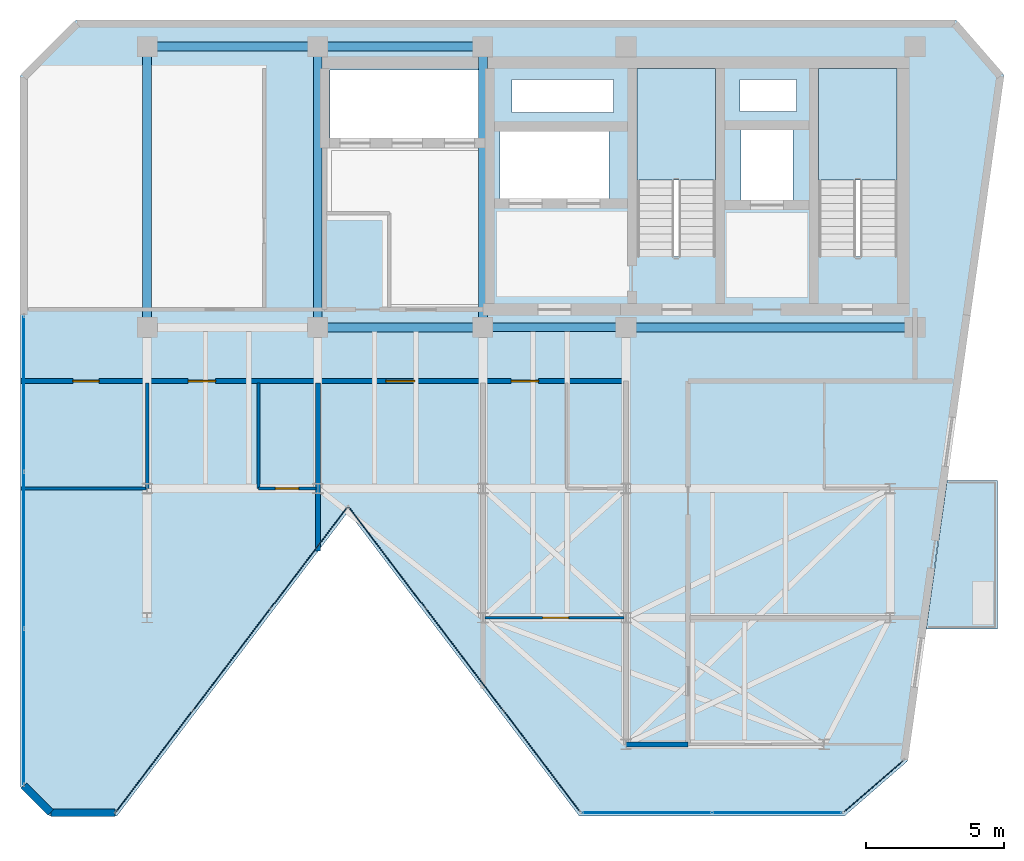
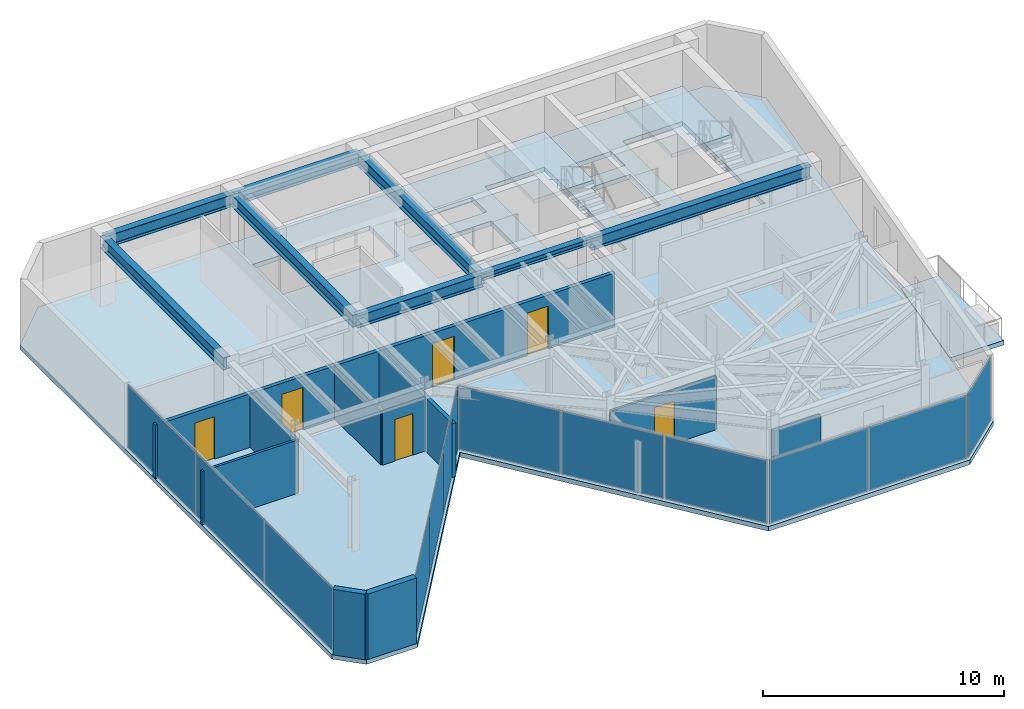
# One storey, part 12 of 16: 12 plates, 10 walls, 8 beams, 6 doors, 4 slabs, 6 openings, 7 elements without a shape of their own.
"""IFC4 building model written with IfcOpenShell, lengths in metres."""

from ifc_helpers import new_model, si_unit, direction, frame, frame_2d, origin, origin_2d, place, context, subcontext, project, spatial, polyline, rectangle, i_section, outline, extrude, material, layer, layer_set, material_profile, profile_set, type_object, element, fill, aggregate, save


model = new_model("IFC4")

# Units and contexts
model_context = context("Model", 3, precision=1e-05, world=origin(), true_north=direction((0.0, 1.0)))
body_context = subcontext(model_context, "Body", "Model", "MODEL_VIEW")
ifc_project = project(units=[si_unit("LENGTHUNIT", "METRE"), si_unit("AREAUNIT", "SQUARE_METRE"), si_unit("VOLUMEUNIT", "CUBIC_METRE"), si_unit("PLANEANGLEUNIT", "RADIAN"), si_unit("MASSUNIT", "GRAM", prefix="KILO")], contexts=[model_context])

# Site, building, storey
site_placement = place(None, origin())
site = spatial("IfcSite", under=ifc_project, at=site_placement, CompositionType="ELEMENT")
building_placement = place(site_placement, origin())
building = spatial("IfcBuilding", under=site, at=building_placement, Name="Kravanh Interchange Tower", CompositionType="ELEMENT")
storey_placement = place(building_placement, frame((0.0, 0.0, 307.5)))
storey = spatial("IfcBuildingStorey", under=building, at=storey_placement, Name="L76", CompositionType="ELEMENT", Elevation=307.5)

# Beams
ifc_material_1 = material(Name="Structural Steel S355", Category="steel")
ifc_material_profile_1 = material_profile(ifc_material_1, i_section(OverallWidth=0.323974609375, OverallDepth=0.611083984375, WebThickness=0.0126953125, FlangeThickness=0.01904296875, FilletRadius=0.02197265625, at=origin_2d()), Name="W24X104")
ifc_profile_set_1 = profile_set([ifc_material_profile_1], Name="Structural Steel S355")
beam_type_1 = type_object("IfcBeamType", Name="Floor Beam W24X104 Structural Steel S355", PredefinedType="BEAM", material=ifc_profile_set_1)
beam_1_placement = place(storey_placement, frame((66.5, 37.35009765625, 3.014404296875), z_axis=(-1.0, 0.0, 0.0), x_axis=(0.0, -1.0, 0.0)))
element("IfcBeam", 1, at=beam_1_placement, inside=storey, type_object=beam_type_1, Name="L76 Primary Floor Girder 32", PredefinedType="BEAM", context=body_context, shape_type="SweptSolid", body=[
    extrude(i_section(OverallWidth=0.323974609375, OverallDepth=0.611083984375, WebThickness=0.0126953125, FlangeThickness=0.01904296875, FilletRadius=0.02197265625, at=origin_2d()), origin(), (0.0, 0.0, 1.0), 10.5),
])
beam_2_placement = place(storey_placement, frame((50.800048828125, 47.550048828125, 3.014404296875), z_axis=(-1.0, 0.0, 0.0), x_axis=(0.0, -1.0, 0.0)))
element("IfcBeam", 2, at=beam_2_placement, inside=storey, type_object=beam_type_1, Name="L76 Primary Floor Girder 34", PredefinedType="BEAM", context=body_context, shape_type="SweptSolid", body=[
    extrude(i_section(OverallWidth=0.323974609375, OverallDepth=0.611083984375, WebThickness=0.0126953125, FlangeThickness=0.01904296875, FilletRadius=0.02197265625, at=origin_2d()), origin(), (0.0, 0.0, 1.0), 6.0),
])
beam_3_placement = place(storey_placement, frame((50.800048828125, 47.550048828125, 3.014404296875), z_axis=(0.0, -1.0, 0.0), x_axis=(1.0, 0.0, 0.0)))
element("IfcBeam", 3, at=beam_3_placement, inside=storey, type_object=beam_type_1, Name="L76 Primary Floor Girder 35", PredefinedType="BEAM", context=body_context, shape_type="SweptSolid", body=[
    extrude(i_section(OverallWidth=0.323974609375, OverallDepth=0.611083984375, WebThickness=0.0126953125, FlangeThickness=0.01904296875, FilletRadius=0.02197265625, at=origin_2d()), origin(), (0.0, 0.0, 1.0), 10.199951171875),
])
beam_4_placement = place(storey_placement, frame((50.800048828125, 37.35009765625, 3.014404296875), z_axis=(-1.0, 0.0, 0.0), x_axis=(0.0, -1.0, 0.0)))
element("IfcBeam", 4, at=beam_4_placement, inside=storey, type_object=beam_type_1, Name="L76 Primary Floor Girder 36", PredefinedType="BEAM", context=body_context, shape_type="SweptSolid", body=[
    extrude(i_section(OverallWidth=0.323974609375, OverallDepth=0.611083984375, WebThickness=0.0126953125, FlangeThickness=0.01904296875, FilletRadius=0.02197265625, at=origin_2d()), origin(), (0.0, 0.0, 1.0), 6.0),
])
beam_5_placement = place(storey_placement, frame((44.800048828125, 37.35009765625, 3.014404296875), z_axis=(0.0, 1.0, 0.0), x_axis=(-1.0, 0.0, 0.0)))
element("IfcBeam", 5, at=beam_5_placement, inside=storey, type_object=beam_type_1, Name="L76 Primary Floor Girder 38", PredefinedType="BEAM", context=body_context, shape_type="SweptSolid", body=[
    extrude(i_section(OverallWidth=0.323974609375, OverallDepth=0.611083984375, WebThickness=0.0126953125, FlangeThickness=0.01904296875, FilletRadius=0.02197265625, at=origin_2d()), origin(), (0.0, 0.0, 1.0), 10.199951171875),
])
beam_6_placement = place(storey_placement, frame((44.800048828125, 47.550048828125, 3.014404296875), z_axis=(-1.0, 0.0, 0.0), x_axis=(0.0, -1.0, 0.0)))
element("IfcBeam", 6, at=beam_6_placement, inside=storey, type_object=beam_type_1, Name="L76 Primary Floor Girder 39", PredefinedType="BEAM", context=body_context, shape_type="SweptSolid", body=[
    extrude(i_section(OverallWidth=0.323974609375, OverallDepth=0.611083984375, WebThickness=0.0126953125, FlangeThickness=0.01904296875, FilletRadius=0.02197265625, at=origin_2d()), origin(), (0.0, 0.0, 1.0), 6.199951171875),
])
beam_7_placement = place(storey_placement, frame((38.60009765625, 37.35009765625, 3.014404296875), z_axis=(0.0, 1.0, 0.0), x_axis=(-1.0, 0.0, 0.0)))
element("IfcBeam", 7, at=beam_7_placement, inside=storey, type_object=beam_type_1, Name="L76 Primary Floor Girder 40", PredefinedType="BEAM", context=body_context, shape_type="SweptSolid", body=[
    extrude(i_section(OverallWidth=0.323974609375, OverallDepth=0.611083984375, WebThickness=0.0126953125, FlangeThickness=0.01904296875, FilletRadius=0.02197265625, at=origin_2d()), origin(), (0.0, 0.0, 1.0), 10.199951171875),
])
ifc_material_2 = material(Name="Structural Steel S355", Category="steel")
ifc_material_profile_2 = material_profile(ifc_material_2, i_section(OverallWidth=0.304931640625, OverallDepth=0.306884765625, WebThickness=0.010009765625, FlangeThickness=0.015380859375, FilletRadius=0.014892578125, at=origin_2d()), Name="W12X65")
ifc_profile_set_2 = profile_set([ifc_material_profile_2], Name="Structural Steel S355")
beam_type_2 = type_object("IfcBeamType", Name="Floor Lintel W12X65 Structural Steel S355", PredefinedType="LINTEL", material=ifc_profile_set_2)
beam_8_placement = place(storey_placement, frame((50.800048828125, 37.35009765625, 3.16650390625), z_axis=(1.0, 0.0, 0.0), x_axis=(0.0, 1.0, 0.0)))
element("IfcBeam", 8, at=beam_8_placement, inside=storey, type_object=beam_type_2, Name="L76 Core Coupling Lintel 1", PredefinedType="LINTEL", context=body_context, shape_type="SweptSolid", body=[
    extrude(i_section(OverallWidth=0.304931640625, OverallDepth=0.306884765625, WebThickness=0.010009765625, FlangeThickness=0.015380859375, FilletRadius=0.014892578125, at=origin_2d()), origin(), (0.0, 0.0, 1.0), 5.199951171875),
])

# Curtain wall, plates
ifc_material_3 = material(Name="Anodised Bronze Aluminium", Category="aluminium")
ifc_layer_1 = layer(ifc_material_3, 0.179931640625)
ifc_layer_set_1 = layer_set([ifc_layer_1], Name="Unitised Curtain Wall System CW-HTL Luxury Hotel")
curtain_wall_type = type_object("IfcCurtainWallType", Name="Unitised Curtain Wall System CW-HTL Luxury Hotel", PredefinedType="NOTDEFINED", material=ifc_layer_set_1)
curtain_wall_1_placement = place(storey_placement, origin())
curtain_wall_1 = element("IfcCurtainWall", 9, at=curtain_wall_1_placement, inside=storey, type_object=curtain_wall_type, Name="L76 Unitised Curtain Wall CW-L76-01", PredefinedType="NOTDEFINED")
ifc_material_4 = material(Name="Low-E Laminated Architectural Glass", Category="glass")
ifc_layer_2 = layer(ifc_material_4, 0.030029296875)
ifc_layer_set_2 = layer_set([ifc_layer_2], Name="Acoustic Laminated Glazing 30mm")
plate_type = type_object("IfcPlateType", Name="Acoustic Laminated Glazing 30mm", PredefinedType="CURTAIN_PANEL", material=ifc_layer_set_2)
plate_1_placement = place(storey_placement, frame((34.1201171875, 23.564697265625, 0.06005859375), z_axis=(0.0, 0.0, 1.0), x_axis=(0.0, 1.0, 0.0)))
plate_1 = element("IfcPlate", 10, at=plate_1_placement, type_object=plate_type, Name="CW-HTL panel 1.1", PredefinedType="CURTAIN_PANEL", context=body_context, shape_type="SweptSolid", body=[
    extrude(rectangle(XDim=5.610107421875, YDim=0.030029296875, at=origin_2d()), origin(), (0.0, 0.0, 1.0), 3.199951171875),
])
plate_2_placement = place(storey_placement, frame((34.1201171875, 29.249755859375, 0.06005859375), z_axis=(0.0, 0.0, 1.0), x_axis=(0.0, 1.0, 0.0)))
plate_2 = element("IfcPlate", 11, at=plate_2_placement, type_object=plate_type, Name="CW-HTL panel 2.1", PredefinedType="CURTAIN_PANEL", context=body_context, shape_type="SweptSolid", body=[
    extrude(rectangle(XDim=5.64013671875, YDim=0.030029296875, at=origin_2d()), origin(), (0.0, 0.0, 1.0), 3.199951171875),
])
plate_3_placement = place(storey_placement, frame((34.1201171875, 34.93505859375, 0.06005859375), z_axis=(0.0, 0.0, 1.0), x_axis=(0.0, 1.0, 0.0)))
plate_3 = element("IfcPlate", 12, at=plate_3_placement, type_object=plate_type, Name="CW-HTL panel 3.1", PredefinedType="CURTAIN_PANEL", context=body_context, shape_type="SweptSolid", body=[
    extrude(rectangle(XDim=5.610107421875, YDim=0.030029296875, at=origin_2d()), origin(), (0.0, 0.0, 1.0), 3.199951171875),
])
aggregate(curtain_wall_1, [plate_1, plate_2, plate_3])

# Curtain wall, plate
curtain_wall_2_placement = place(storey_placement, origin())
curtain_wall_2 = element("IfcCurtainWall", 13, at=curtain_wall_2_placement, inside=storey, type_object=curtain_wall_type, Name="L76 Unitised Curtain Wall CW-L76-02", PredefinedType="NOTDEFINED")
plate_4_placement = place(storey_placement, frame((64.998779296875, 20.680908203125, 0.06005859375), z_axis=(0.0, 0.0, 1.0), x_axis=(-0.754717231494, -0.656050227106, 0.0)))
plate_4 = element("IfcPlate", 14, at=plate_4_placement, type_object=plate_type, Name="CW-HTL panel 1.1", PredefinedType="CURTAIN_PANEL", context=body_context, shape_type="SweptSolid", body=[
    extrude(rectangle(XDim=2.80908203125, YDim=0.030029296875, at=origin_2d()), origin(), (0.0, 0.0, 1.0), 3.199951171875),
])
aggregate(curtain_wall_2, [plate_4])

# Curtain wall, plates
curtain_wall_3_placement = place(storey_placement, origin())
curtain_wall_3 = element("IfcCurtainWall", 15, at=curtain_wall_3_placement, inside=storey, type_object=curtain_wall_type, Name="L76 Unitised Curtain Wall CW-L76-03", PredefinedType="NOTDEFINED")
plate_5_placement = place(storey_placement, frame((61.4951171875, 19.719970703125, 0.06005859375), z_axis=(0.0, 0.0, 1.0), x_axis=(-1.0, 0.0, 0.0)))
plate_5 = element("IfcPlate", 16, at=plate_5_placement, type_object=plate_type, Name="CW-HTL panel 1.1", PredefinedType="CURTAIN_PANEL", context=body_context, shape_type="SweptSolid", body=[
    extrude(rectangle(XDim=4.677001953125, YDim=0.030029296875, at=origin_2d()), origin(), (0.0, 0.0, 1.0), 3.199951171875),
])
plate_6_placement = place(storey_placement, frame((56.758056640625, 19.719970703125, 0.06005859375), z_axis=(0.0, 0.0, 1.0), x_axis=(-1.0, 0.0, 0.0)))
plate_6 = element("IfcPlate", 17, at=plate_6_placement, type_object=plate_type, Name="CW-HTL panel 2.1", PredefinedType="CURTAIN_PANEL", context=body_context, shape_type="SweptSolid", body=[
    extrude(rectangle(XDim=4.677001953125, YDim=0.030029296875, at=origin_2d()), origin(), (0.0, 0.0, 1.0), 3.199951171875),
])
aggregate(curtain_wall_3, [plate_5, plate_6])

curtain_wall_4_placement = place(storey_placement, origin())
curtain_wall_4 = element("IfcCurtainWall", 18, at=curtain_wall_4_placement, inside=storey, type_object=curtain_wall_type, Name="L76 Unitised Curtain Wall CW-L76-04", PredefinedType="NOTDEFINED")
plate_7_placement = place(storey_placement, frame((52.9404296875, 21.587158203125, 0.06005859375), z_axis=(0.0, 0.0, 1.0), x_axis=(-0.605083992962, 0.796161642797, 0.0)))
plate_7 = element("IfcPlate", 19, at=plate_7_placement, type_object=plate_type, Name="CW-HTL panel 1.1", PredefinedType="CURTAIN_PANEL", context=body_context, shape_type="SweptSolid", body=[
    extrude(rectangle(XDim=4.5703125, YDim=0.030029296875, at=origin_2d()), origin(), (0.0, 0.0, 1.0), 3.199951171875),
])
plate_8_placement = place(storey_placement, frame((50.129638671875, 25.285400390625, 0.06005859375), z_axis=(0.0, 0.0, 1.0), x_axis=(-0.605083992962, 0.796161642797, 0.0)))
plate_8 = element("IfcPlate", 20, at=plate_8_placement, type_object=plate_type, Name="CW-HTL panel 2.1", PredefinedType="CURTAIN_PANEL", context=body_context, shape_type="SweptSolid", body=[
    extrude(rectangle(XDim=4.600341796875, YDim=0.030029296875, at=origin_2d()), origin(), (0.0, 0.0, 1.0), 3.199951171875),
])
plate_9_placement = place(storey_placement, frame((47.319091796875, 28.98388671875, 0.06005859375), z_axis=(0.0, 0.0, 1.0), x_axis=(-0.605083992962, 0.796161642797, 0.0)))
plate_9 = element("IfcPlate", 21, at=plate_9_placement, type_object=plate_type, Name="CW-HTL panel 3.1", PredefinedType="CURTAIN_PANEL", context=body_context, shape_type="SweptSolid", body=[
    extrude(rectangle(XDim=4.5703125, YDim=0.030029296875, at=origin_2d()), origin(), (0.0, 0.0, 1.0), 3.199951171875),
])
aggregate(curtain_wall_4, [plate_7, plate_8, plate_9])

curtain_wall_5_placement = place(storey_placement, origin())
curtain_wall_5 = element("IfcCurtainWall", 22, at=curtain_wall_5_placement, inside=storey, type_object=curtain_wall_type, Name="L76 Unitised Curtain Wall CW-L76-05", PredefinedType="NOTDEFINED")
plate_10_placement = place(storey_placement, frame((44.48095703125, 28.98388671875, 0.06005859375), z_axis=(0.0, 0.0, 1.0), x_axis=(-0.605083992962, -0.796161642797, 0.0)))
plate_10 = element("IfcPlate", 23, at=plate_10_placement, type_object=plate_type, Name="CW-HTL panel 1.1", PredefinedType="CURTAIN_PANEL", context=body_context, shape_type="SweptSolid", body=[
    extrude(rectangle(XDim=4.5703125, YDim=0.030029296875, at=origin_2d()), origin(), (0.0, 0.0, 1.0), 3.199951171875),
])
plate_11_placement = place(storey_placement, frame((41.670166015625, 25.285400390625, 0.06005859375), z_axis=(0.0, 0.0, 1.0), x_axis=(-0.605083992962, -0.796161642797, 0.0)))
plate_11 = element("IfcPlate", 24, at=plate_11_placement, type_object=plate_type, Name="CW-HTL panel 2.1", PredefinedType="CURTAIN_PANEL", context=body_context, shape_type="SweptSolid", body=[
    extrude(rectangle(XDim=4.600341796875, YDim=0.030029296875, at=origin_2d()), origin(), (0.0, 0.0, 1.0), 3.199951171875),
])
plate_12_placement = place(storey_placement, frame((38.859375, 21.587158203125, 0.06005859375), z_axis=(0.0, 0.0, 1.0), x_axis=(-0.605083992962, -0.796161642797, 0.0)))
plate_12 = element("IfcPlate", 25, at=plate_12_placement, type_object=plate_type, Name="CW-HTL panel 3.1", PredefinedType="CURTAIN_PANEL", context=body_context, shape_type="SweptSolid", body=[
    extrude(rectangle(XDim=4.5703125, YDim=0.030029296875, at=origin_2d()), origin(), (0.0, 0.0, 1.0), 3.199951171875),
])
aggregate(curtain_wall_5, [plate_10, plate_11, plate_12])

# Slab
ifc_material_5 = material(Name="Concrete C50/60", Category="concrete")
ifc_layer_3 = layer(ifc_material_5, 0.235107421875)
ifc_layer_set_3 = layer_set([ifc_layer_3], Name="Composite Floor Slab Concrete C50/60 235mm")
slab_type_1 = type_object("IfcSlabType", Name="Composite Floor Slab Concrete C50/60 235mm", PredefinedType="FLOOR", material=ifc_layer_set_3)
slab_1_placement = place(storey_placement, frame((0.0, 0.0, -0.235107421875)))
element("IfcSlab", 26, at=slab_1_placement, inside=storey, type_object=slab_type_1, Name="L76 Structural Floor Slab", PredefinedType="FLOOR", context=body_context, shape_type="SweptSolid", body=[
    extrude(outline(polyline([(34.0, 20.64990234375), (35.050048828125, 19.60009765625), (37.5, 19.60009765625), (45.89990234375, 30.652587890625), (54.300048828125, 19.60009765625), (63.9384765625, 19.60009765625), (66.216796875, 21.58056640625), (69.7216796875, 46.51953125), (68.0, 48.5), (36.0, 48.5), (34.0, 46.5), (34.0, 20.64990234375)]), holes=[polyline([(65.85009765625, 39.925048828125), (65.85009765625, 46.75), (63.0, 46.75), (63.0, 39.925048828125), (65.85009765625, 39.925048828125)]), polyline([(59.25, 39.925048828125), (59.25, 46.75), (56.39990234375, 46.75), (56.39990234375, 39.925048828125), (59.25, 39.925048828125)]), polyline([(45.239990234375, 44.219970703125), (50.840087890625, 44.219970703125), (50.840087890625, 46.699951171875), (45.239990234375, 46.699951171875), (45.239990234375, 44.219970703125)]), polyline([(51.419921875, 42.02001953125), (55.3798828125, 42.02001953125), (55.3798828125, 44.47998046875), (51.419921875, 44.47998046875), (51.419921875, 42.02001953125)]), polyline([(60.179931640625, 41.97998046875), (62.06005859375, 41.97998046875), (62.06005859375, 44.52001953125), (60.179931640625, 44.52001953125), (60.179931640625, 41.97998046875)]), polyline([(60.14990234375, 45.199951171875), (62.199951171875, 45.199951171875), (62.199951171875, 46.35009765625), (60.14990234375, 46.35009765625), (60.14990234375, 45.199951171875)]), polyline([(51.85009765625, 45.14990234375), (55.550048828125, 45.14990234375), (55.550048828125, 46.35009765625), (51.85009765625, 46.35009765625), (51.85009765625, 45.14990234375)])]), origin(), (0.0, 0.0, 1.0), 0.235107421875),
])

# Stair, slab
ifc_material_6 = material(Name="Concrete C50/60", Category="concrete")
stair_type = type_object("IfcStairType", Name="Core Fire Exit Dogleg Stair Concrete C50/60", PredefinedType="HALF_TURN_STAIR", material=ifc_material_6)
stair_1_placement = place(storey_placement, origin())
stair_1 = element("IfcStair", 27, at=stair_1_placement, inside=storey, type_object=stair_type, Name="L76 Exit Stair ST1", PredefinedType="HALF_TURN_STAIR")
ifc_material_7 = material(Name="Concrete C50/60", Category="concrete")
ifc_layer_4 = layer(ifc_material_7, 0.199951171875)
ifc_layer_set_4 = layer_set([ifc_layer_4], Name="Concrete C50/60 Stair Half-Landing Slab 200mm")
slab_type_2 = type_object("IfcSlabType", Name="Concrete C50/60 Stair Half-Landing Slab 200mm", PredefinedType="LANDING", material=ifc_layer_set_4)
slab_2_placement = place(storey_placement, frame((0.0, 0.0, 1.60009765625)))
slab_2 = element("IfcSlab", 28, at=slab_2_placement, type_object=slab_type_2, Name="ST1 landing 1", PredefinedType="LANDING", context=body_context, shape_type="SweptSolid", body=[
    extrude(outline(polyline([(65.85009765625, 42.699951171875), (65.85009765625, 46.75), (63.0, 46.75), (63.0, 42.699951171875), (65.85009765625, 42.699951171875)])), origin(), (0.0, 0.0, 1.0), 0.199951171875),
])
aggregate(stair_1, [slab_2])

stair_2_placement = place(storey_placement, origin())
stair_2 = element("IfcStair", 29, at=stair_2_placement, inside=storey, type_object=stair_type, Name="L76 Exit Stair ST2", PredefinedType="HALF_TURN_STAIR")
slab_3_placement = place(storey_placement, frame((0.0, 0.0, 1.60009765625)))
slab_3 = element("IfcSlab", 30, at=slab_3_placement, type_object=slab_type_2, Name="ST2 landing 1", PredefinedType="LANDING", context=body_context, shape_type="SweptSolid", body=[
    extrude(outline(polyline([(59.25, 42.699951171875), (59.25, 46.75), (56.39990234375, 46.75), (56.39990234375, 42.699951171875), (59.25, 42.699951171875)])), origin(), (0.0, 0.0, 1.0), 0.199951171875),
])
aggregate(stair_2, [slab_3])

# Slab
ifc_material_8 = material(Name="Concrete C50/60", Category="concrete")
ifc_layer_5 = layer(ifc_material_8, 0.199951171875)
ifc_layer_set_5 = layer_set([ifc_layer_5], Name="Planted Tree Balcony Slab Concrete C50/60 200mm")
slab_type_3 = type_object("IfcSlabType", Name="Planted Tree Balcony Slab Concrete C50/60 200mm", PredefinedType="USERDEFINED", material=ifc_layer_set_5)
slab_4_placement = place(storey_placement, frame((0.0, 0.0, -0.235107421875)))
element("IfcSlab", 31, at=slab_4_placement, inside=storey, type_object=slab_type_3, Name="L76 East Tree Planter Balcony Slab", ObjectType="BALCONY", PredefinedType="USERDEFINED", context=body_context, shape_type="SweptSolid", body=[
    extrude(outline(polyline([(69.489990234375, 31.7900390625), (69.489990234375, 26.389892578125), (66.90771484375, 26.389892578125), (67.666748046875, 31.7900390625), (69.489990234375, 31.7900390625)])), origin(), (0.0, 0.0, 1.0), 0.235107421875),
])

# Walls
ifc_material_9 = material(Name="Double Acoustic Gypsum Board and Mineral Wool")
ifc_layer_6 = layer(ifc_material_9, 0.1201171875)
ifc_layer_set_6 = layer_set([ifc_layer_6], Name="Acoustic Office Drywall Partition 120mm")
wall_type_1 = type_object("IfcWallType", Name="Acoustic Office Drywall Partition 120mm", PredefinedType="PARTITIONING", material=ifc_layer_set_6)
wall_1_placement = place(storey_placement, frame((38.60009765625, 31.5, 0.0), z_axis=(0.0, 0.0, 1.0), x_axis=(0.0, 1.0, 0.0)))
element("IfcWall", 32, at=wall_1_placement, inside=storey, type_object=wall_type_1, Name="L76 Interior Partition 14", PredefinedType="PARTITIONING", context=body_context, shape_type="SweptSolid", body=[
    extrude(rectangle(XDim=3.83203125, YDim=0.1201171875, at=frame_2d((1.916015625, 0.0))), origin(), (0.0, 0.0, 1.0), 2.708984375),
])
wall_2_placement = place(storey_placement, frame((34.014892578125, 31.5, 0.0), z_axis=(0.0, 0.0, 1.0), x_axis=(1.0, 0.0, 0.0)))
element("IfcWall", 33, at=wall_2_placement, inside=storey, type_object=wall_type_1, Name="L76 Interior Partition 15", PredefinedType="PARTITIONING", context=body_context, shape_type="SweptSolid", body=[
    extrude(rectangle(XDim=4.585205078125, YDim=0.1201171875, at=frame_2d((2.29248046875, 0.0))), origin(), (0.0, 0.0, 1.0), 2.708984375),
])
ifc_material_10 = material(Name="Moisture-Resistant Gypsum Board and Mineral Wool")
ifc_layer_7 = layer(ifc_material_10, 0.10009765625)
ifc_layer_set_7 = layer_set([ifc_layer_7], Name="En-Suite Moisture-Resistant Partition 100mm")
wall_type_2 = type_object("IfcWallType", Name="En-Suite Moisture-Resistant Partition 100mm", PredefinedType="PARTITIONING", material=ifc_layer_set_7)
wall_3_placement = place(storey_placement, frame((42.64990234375, 31.5, 0.0), z_axis=(0.0, 0.0, 1.0), x_axis=(0.0, 1.0, 0.0)))
element("IfcWall", 34, at=wall_3_placement, inside=storey, type_object=wall_type_2, Name="L76 Interior Partition 20", PredefinedType="PARTITIONING", context=body_context, shape_type="SweptSolid", body=[
    extrude(rectangle(XDim=3.83203125, YDim=0.10009765625, at=frame_2d((1.916015625, 0.0))), origin(), (0.0, 0.0, 1.0), 2.708984375),
])

# Wall, opening, door
wall_4_placement = place(storey_placement, frame((42.64990234375, 31.5, 0.0), z_axis=(0.0, 0.0, 1.0), x_axis=(1.0, 0.0, 0.0)))
wall_4 = element("IfcWall", 35, at=wall_4_placement, inside=storey, type_object=wall_type_2, Name="L76 Interior Partition 21", PredefinedType="PARTITIONING", context=body_context, shape_type="SweptSolid", body=[
    extrude(rectangle(XDim=2.08203125, YDim=0.10009765625, at=frame_2d((1.041015625, 0.0))), origin(), (0.0, 0.0, 1.0), 2.708984375),
])
opening_1_placement = place(wall_4_placement, frame((0.607421875, 0.0, 0.0)))
opening_1 = element("IfcOpeningElement", 36, at=opening_1_placement, cuts=wall_4, Name="Opening D-85", PredefinedType="OPENING", context=body_context, shape_type="SweptSolid", body=[
    extrude(rectangle(XDim=0.85009765625, YDim=2.10009765625, at=frame_2d((0.425048828125, 1.050048828125))), frame((0.0, 0.06005859375, 0.0), z_axis=(0.0, -1.0, 0.0), x_axis=(1.0, 0.0, 0.0)), (0.0, 0.0, 1.0), 0.1201171875),
])
ifc_material_11 = material(Name="Engineered Teak Veneer Timber", Category="wood")
door_type_1 = type_object("IfcDoorType", Name="En-Suite Timber Door 850x2100", OperationType="NOTDEFINED", PredefinedType="DOOR", material=ifc_material_11)
door_1_placement = place(opening_1_placement, origin())
door_1 = element("IfcDoor", 37, at=door_1_placement, inside=storey, type_object=door_type_1, Name="L76 En-suite Bathroom Door", OperationType="SINGLE_SWING_LEFT", OverallHeight=2.10009765625, OverallWidth=0.85009765625, PredefinedType="DOOR", context=body_context, shape_type="SweptSolid", body=[
    extrude(rectangle(XDim=0.85009765625, YDim=2.10009765625, at=frame_2d((0.425048828125, 1.050048828125))), frame((0.0, 0.02490234375, 0.0), z_axis=(0.0, -1.0, 0.0), x_axis=(1.0, 0.0, 0.0)), (0.0, 0.0, 1.0), 0.050048828125),
])
fill(opening_1, door_1)

wall_5_placement = place(storey_placement, frame((50.867919921875, 26.800048828125, 0.0), z_axis=(0.0, 0.0, 1.0), x_axis=(1.0, 0.0, 0.0)))
wall_5 = element("IfcWall", 38, at=wall_5_placement, inside=storey, type_object=wall_type_2, Name="L76 Interior Partition 24", PredefinedType="PARTITIONING", context=body_context, shape_type="SweptSolid", body=[
    extrude(rectangle(XDim=5.06396484375, YDim=0.10009765625, at=frame_2d((2.531982421875, 0.0))), origin(), (0.0, 0.0, 1.0), 2.708984375),
])
opening_2_placement = place(wall_5_placement, frame((2.09716796875, 0.0, 0.0)))
opening_2 = element("IfcOpeningElement", 39, at=opening_2_placement, cuts=wall_5, Name="Opening D-95", PredefinedType="OPENING", context=body_context, shape_type="SweptSolid", body=[
    extrude(rectangle(XDim=0.949951171875, YDim=2.14990234375, at=frame_2d((0.47509765625, 1.074951171875))), frame((0.0, 0.06005859375, 0.0), z_axis=(0.0, -1.0, 0.0), x_axis=(1.0, 0.0, 0.0)), (0.0, 0.0, 1.0), 0.1201171875),
])
ifc_material_12 = material(Name="Laminate Solid-Core Timber", Category="wood")
door_type_2 = type_object("IfcDoorType", Name="Accessible Restroom Door 950x2150", OperationType="NOTDEFINED", PredefinedType="DOOR", material=ifc_material_12)
door_2_placement = place(opening_2_placement, origin())
door_2 = element("IfcDoor", 40, at=door_2_placement, inside=storey, type_object=door_type_2, Name="L76 Sunroom Alcove Inner Door", OperationType="SINGLE_SWING_LEFT", OverallHeight=2.14990234375, OverallWidth=0.949951171875, PredefinedType="DOOR", context=body_context, shape_type="SweptSolid", body=[
    extrude(rectangle(XDim=0.949951171875, YDim=2.14990234375, at=frame_2d((0.47509765625, 1.074951171875))), frame((0.0, 0.02490234375, 0.0), z_axis=(0.0, -1.0, 0.0), x_axis=(1.0, 0.0, 0.0)), (0.0, 0.0, 1.0), 0.050048828125),
])
fill(opening_2, door_2)

# Walls
ifc_material_13 = material(Name="Insulated Precast Concrete C40/50 with Bronze Cladding", Category="concrete")
ifc_layer_8 = layer(ifc_material_13, 0.280029296875)
ifc_layer_set_8 = layer_set([ifc_layer_8], Name="Exterior Insulated Concrete C40/50 Bronze Spandrel Wall 280mm")
wall_type_3 = type_object("IfcWallType", Name="Exterior Insulated Concrete C40/50 Bronze Spandrel Wall 280mm", PredefinedType="STANDARD", material=ifc_layer_set_8)
wall_6_placement = place(storey_placement, frame((37.4404296875, 19.719970703125, 0.0), z_axis=(0.0, 0.0, 1.0), x_axis=(-1.0, 0.0, 0.0)))
element("IfcWall", 41, at=wall_6_placement, inside=storey, type_object=wall_type_3, Name="L76 Exterior Wall 7", PredefinedType="STANDARD", context=body_context, shape_type="SweptSolid", body=[
    extrude(rectangle(XDim=2.3408203125, YDim=0.280029296875, at=frame_2d((1.17041015625, 0.0))), origin(), (0.0, 0.0, 1.0), 3.320068359375),
])
wall_7_placement = place(storey_placement, frame((35.099609375, 19.719970703125, 0.0), z_axis=(0.0, 0.0, 1.0), x_axis=(-0.707018662703, 0.70719488869, 0.0)))
element("IfcWall", 42, at=wall_7_placement, inside=storey, type_object=wall_type_3, Name="L76 Exterior Wall 8", PredefinedType="STANDARD", context=body_context, shape_type="SweptSolid", body=[
    extrude(rectangle(XDim=1.385498046875, YDim=0.280029296875, at=frame_2d((0.69287109375, 0.0))), origin(), (0.0, 0.0, 1.0), 3.320068359375),
])

# Wall, openings, doors
ifc_material_14 = material(Name="Autoclaved Aerated Concrete C30/37 Blockwork", Category="masonry")
ifc_layer_9 = layer(ifc_material_14, 0.179931640625)
ifc_layer_set_9 = layer_set([ifc_layer_9], Name="Fire-Rated Lobby and Corridor Wall Concrete C30/37 180mm")
wall_type_4 = type_object("IfcWallType", Name="Fire-Rated Lobby and Corridor Wall Concrete C30/37 180mm", PredefinedType="STANDARD", material=ifc_layer_set_9)
wall_8_placement = place(storey_placement, frame((34.014892578125, 35.39990234375, 0.0), z_axis=(0.0, 0.0, 1.0), x_axis=(1.0, 0.0, 0.0)))
wall_8 = element("IfcWall", 43, at=wall_8_placement, inside=storey, type_object=wall_type_4, Name="L76 Interior Partition 8", PredefinedType="STANDARD", context=body_context, shape_type="SweptSolid", body=[
    extrude(rectangle(XDim=21.985107421875, YDim=0.179931640625, at=frame_2d((10.99267578125, 0.0))), origin(), (0.0, 0.0, 1.0), 2.708984375),
])
opening_3_placement = place(wall_8_placement, frame((1.889892578125, 0.0, 0.0)))
opening_3 = element("IfcOpeningElement", 44, at=opening_3_placement, cuts=wall_8, Name="Opening D-95", PredefinedType="OPENING", context=body_context, shape_type="SweptSolid", body=[
    extrude(rectangle(XDim=0.949951171875, YDim=2.14990234375, at=frame_2d((0.47509765625, 1.074951171875))), frame((0.0, 0.10009765625, 0.0), z_axis=(0.0, -1.0, 0.0), x_axis=(1.0, 0.0, 0.0)), (0.0, 0.0, 1.0), 0.199951171875),
])
opening_4_placement = place(wall_8_placement, frame((6.06982421875, 0.0, 0.0)))
opening_4 = element("IfcOpeningElement", 45, at=opening_4_placement, cuts=wall_8, Name="Opening D-HOTEL-100", PredefinedType="OPENING", context=body_context, shape_type="SweptSolid", body=[
    extrude(rectangle(XDim=1.0, YDim=2.14990234375, at=frame_2d((0.5, 1.074951171875))), frame((0.0, 0.10009765625, 0.0), z_axis=(0.0, -1.0, 0.0), x_axis=(1.0, 0.0, 0.0)), (0.0, 0.0, 1.0), 0.199951171875),
])
opening_5_placement = place(wall_8_placement, frame((13.260009765625, 0.0, 0.0)))
opening_5 = element("IfcOpeningElement", 46, at=opening_5_placement, cuts=wall_8, Name="Opening D-105", PredefinedType="OPENING", context=body_context, shape_type="SweptSolid", body=[
    extrude(rectangle(XDim=1.050048828125, YDim=2.199951171875, at=frame_2d((0.52490234375, 1.10009765625))), frame((0.0, 0.10009765625, 0.0), z_axis=(0.0, -1.0, 0.0), x_axis=(1.0, 0.0, 0.0)), (0.0, 0.0, 1.0), 0.199951171875),
])
opening_6_placement = place(wall_8_placement, frame((17.81005859375, 0.0, 0.0)))
opening_6 = element("IfcOpeningElement", 47, at=opening_6_placement, cuts=wall_8, Name="Opening D-HOTEL-100", PredefinedType="OPENING", context=body_context, shape_type="SweptSolid", body=[
    extrude(rectangle(XDim=1.0, YDim=2.14990234375, at=frame_2d((0.5, 1.074951171875))), frame((0.0, 0.10009765625, 0.0), z_axis=(0.0, -1.0, 0.0), x_axis=(1.0, 0.0, 0.0)), (0.0, 0.0, 1.0), 0.199951171875),
])
door_3_placement = place(opening_3_placement, origin())
door_3 = element("IfcDoor", 48, at=door_3_placement, inside=storey, type_object=door_type_2, Name="L76 Accessible WC Door", OperationType="SINGLE_SWING_LEFT", OverallHeight=2.14990234375, OverallWidth=0.949951171875, PredefinedType="DOOR", context=body_context, shape_type="SweptSolid", body=[
    extrude(rectangle(XDim=0.949951171875, YDim=2.14990234375, at=frame_2d((0.47509765625, 1.074951171875))), frame((0.0, 0.02490234375, 0.0), z_axis=(0.0, -1.0, 0.0), x_axis=(1.0, 0.0, 0.0)), (0.0, 0.0, 1.0), 0.050048828125),
])
fill(opening_3, door_3)
ifc_material_15 = material(Name="Fire-Rated Solid Timber Leaf", Category="wood")
door_type_3 = type_object("IfcDoorType", Name="Fire-Rated Suite Entrance Door 1000x2150", OperationType="NOTDEFINED", PredefinedType="DOOR", material=ifc_material_15)
door_4_placement = place(opening_4_placement, origin())
door_4 = element("IfcDoor", 49, at=door_4_placement, inside=storey, type_object=door_type_3, Name="L76 Sky Panorama Hotel Suite Entrance Door", OperationType="SINGLE_SWING_RIGHT", OverallHeight=2.14990234375, OverallWidth=1.0, PredefinedType="DOOR", context=body_context, shape_type="SweptSolid", body=[
    extrude(rectangle(XDim=1.0, YDim=2.14990234375, at=frame_2d((0.5, 1.074951171875))), frame((0.0, 0.02490234375, 0.0), z_axis=(0.0, -1.0, 0.0), x_axis=(1.0, 0.0, 0.0)), (0.0, 0.0, 1.0), 0.050048828125),
])
fill(opening_4, door_4)
door_5_placement = place(opening_6_placement, origin())
door_5 = element("IfcDoor", 50, at=door_5_placement, inside=storey, type_object=door_type_3, Name="L76 Hotel Guest Room 9A Entrance Door", OperationType="SINGLE_SWING_RIGHT", OverallHeight=2.14990234375, OverallWidth=1.0, PredefinedType="DOOR", context=body_context, shape_type="SweptSolid", body=[
    extrude(rectangle(XDim=1.0, YDim=2.14990234375, at=frame_2d((0.5, 1.074951171875))), frame((0.0, 0.02490234375, 0.0), z_axis=(0.0, -1.0, 0.0), x_axis=(1.0, 0.0, 0.0)), (0.0, 0.0, 1.0), 0.050048828125),
])
fill(opening_6, door_5)
ifc_material_16 = material(Name="Acoustic Glazed Oak and Aluminium", Category="aluminium")
door_type_4 = type_object("IfcDoorType", Name="Office Workplace Door 1050x2200", OperationType="NOTDEFINED", PredefinedType="DOOR", material=ifc_material_16)
door_6_placement = place(opening_5_placement, origin())
door_6 = element("IfcDoor", 51, at=door_6_placement, inside=storey, type_object=door_type_4, Name="L76 Gallery Salon Lounge 9A Door", OperationType="SINGLE_SWING_RIGHT", OverallHeight=2.199951171875, OverallWidth=1.050048828125, PredefinedType="DOOR", context=body_context, shape_type="SweptSolid", body=[
    extrude(rectangle(XDim=1.050048828125, YDim=2.199951171875, at=frame_2d((0.52490234375, 1.10009765625))), frame((0.0, 0.02490234375, 0.0), z_axis=(0.0, -1.0, 0.0), x_axis=(1.0, 0.0, 0.0)), (0.0, 0.0, 1.0), 0.050048828125),
])
fill(opening_5, door_6)

# Walls
wall_9_placement = place(storey_placement, frame((56.0, 22.199951171875, 0.0), z_axis=(0.0, 0.0, 1.0), x_axis=(1.0, 0.0, 0.0)))
element("IfcWall", 52, at=wall_9_placement, inside=storey, type_object=wall_type_4, Name="L76 Interior Partition 13", PredefinedType="STANDARD", context=body_context, shape_type="SweptSolid", body=[
    extrude(rectangle(XDim=2.25, YDim=0.179931640625, at=frame_2d((1.125, 0.0))), origin(), (0.0, 0.0, 1.0), 2.708984375),
])
wall_10_placement = place(storey_placement, frame((44.800048828125, 29.22998046875, 0.0), z_axis=(0.0, 0.0, 1.0), x_axis=(0.0, 1.0, 0.0)))
element("IfcWall", 53, at=wall_10_placement, inside=storey, type_object=wall_type_4, Name="L76 Interior Partition 22", PredefinedType="STANDARD", context=body_context, shape_type="SweptSolid", body=[
    extrude(rectangle(XDim=6.10205078125, YDim=0.179931640625, at=frame_2d((3.051025390625, 0.0))), origin(), (0.0, 0.0, 1.0), 2.708984375),
])

save(model, "model.ifc")
